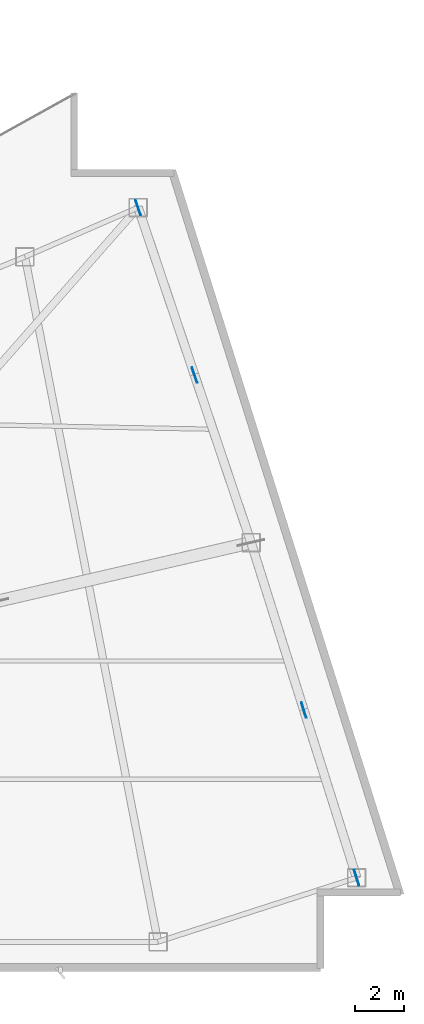
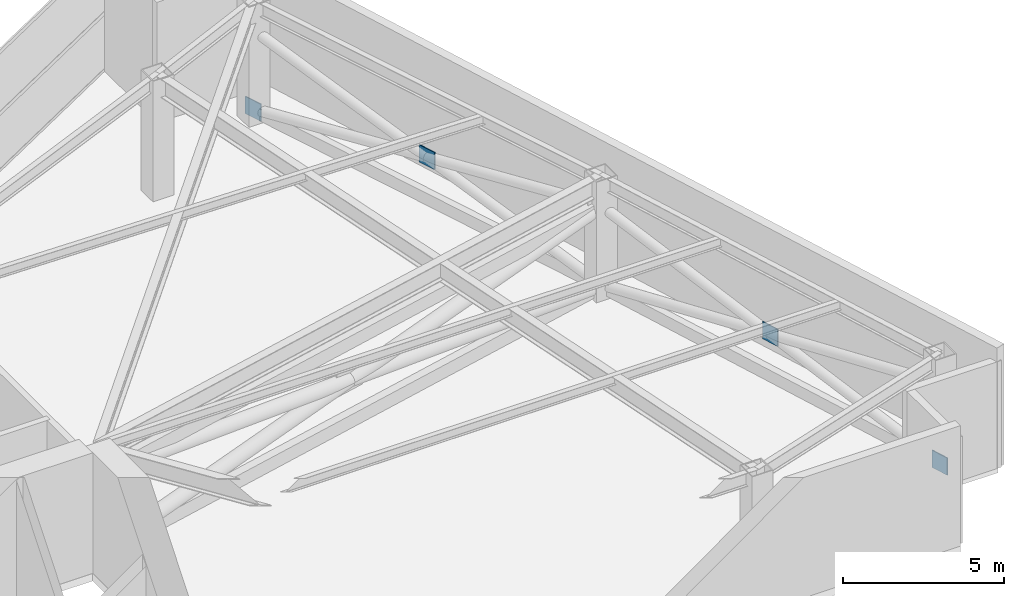
# One storey, part 13 of 19: 4 plates.
"""IFC4 building model written with IfcOpenShell, lengths in metres."""

from ifc_helpers import new_model, si_unit, direction, frame, origin, origin_2d, place, context, subcontext, project, spatial, rectangle, extrude, material, layer, layer_set, type_object, element, save


model = new_model("IFC4")

# Units and contexts
model_context = context("Model", 3, precision=1e-05, world=origin(), true_north=direction((0.0, 1.0)))
body_context = subcontext(model_context, "Body", "Model", "MODEL_VIEW")
ifc_project = project(units=[si_unit("LENGTHUNIT", "METRE"), si_unit("AREAUNIT", "SQUARE_METRE"), si_unit("VOLUMEUNIT", "CUBIC_METRE"), si_unit("PLANEANGLEUNIT", "RADIAN"), si_unit("MASSUNIT", "GRAM", prefix="KILO")], contexts=[model_context])

# Site, building, storey
site_placement = place(None, origin())
site = spatial("IfcSite", under=ifc_project, at=site_placement, CompositionType="ELEMENT")
building_placement = place(site_placement, origin())
building = spatial("IfcBuilding", under=site, at=building_placement, Name="Calvorn Quay Hotel", CompositionType="ELEMENT")
storey_placement = place(building_placement, frame((0.0, 0.0, 139.199951171875)))
storey = spatial("IfcBuildingStorey", under=building, at=storey_placement, Name="L34", CompositionType="ELEMENT", Elevation=139.199951171875)

# Plates
ifc_material = material(Name="Steel Q390GJC", Category="steel")
ifc_layer = layer(ifc_material, 0.035888671875)
ifc_layer_set = layer_set([ifc_layer], Name="PLT-GUSSET-36")
plate_type = type_object("IfcPlateType", Name="PLT-GUSSET-36", PredefinedType="SHEET", material=ifc_layer_set)
for number, where, z_axis, x_axis, name in (
    (1, (57.4609375, 6.199951171875, 0.025146484375), (0.0, 0.0, 1.0), (-0.300539339916, 0.953769419285, 0.0), "Belt Truss Gusset Plate L34-BE1-A"),
    (2, (55.319091796875, 13.0, 1.52001953125), (0.0, 0.0, 1.0), (-0.300539339916, 0.953769419285, 0.0), "Belt Truss Gusset Plate L34-BE1-X"),
    (3, (50.883056640625, 26.60009765625, 1.52001953125), (0.0, 0.0, 1.0), (-0.319455515932, 0.947601273395, 0.0), "Belt Truss Gusset Plate L34-BE2-X"),
    (4, (48.591064453125, 33.39990234375, 0.025146484375), (0.0, 0.0, 1.0), (-0.319455515932, 0.947601273395, 0.0), "Belt Truss Gusset Plate L34-BE2-B"),
):
    element("IfcPlate", number, at=place(storey_placement, frame(where, z_axis=z_axis, x_axis=x_axis)), inside=storey, type_object=plate_type, Name=name, PredefinedType="SHEET", context=body_context, shape_type="SweptSolid", body=[
        extrude(rectangle(XDim=0.64990234375, YDim=0.035888671875, at=origin_2d()), origin(), (0.0, 0.0, 1.0), 0.64990234375),
    ])

save(model, "model.ifc")
